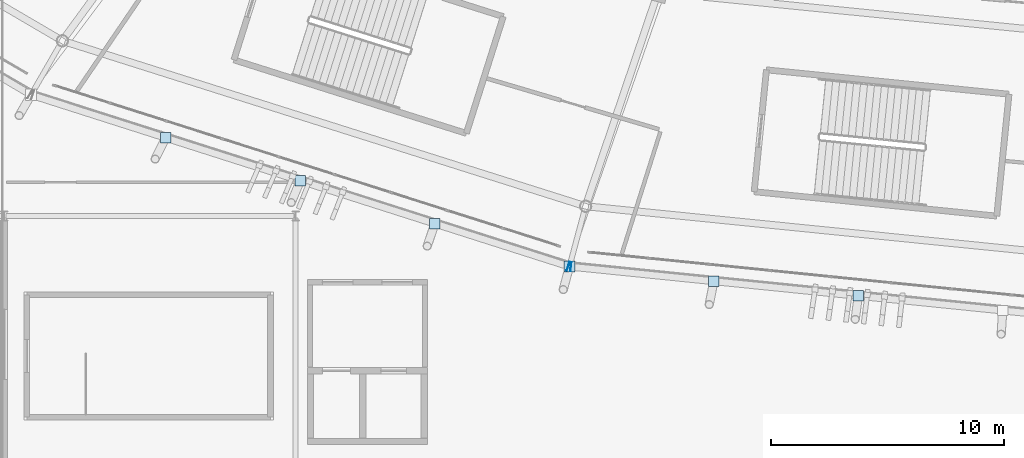
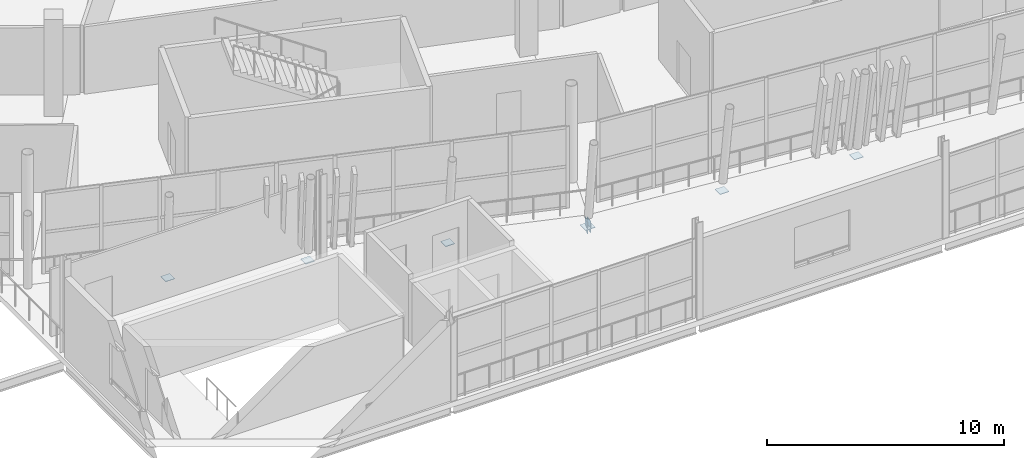
# One storey, part 106 of 179: 8 plates.
"""IFC4 building model written with IfcOpenShell, lengths in metres."""

from ifc_helpers import new_model, si_unit, direction, frame, origin, origin_2d, place, context, subcontext, project, spatial, rectangle, extrude, material, layer, layer_set, type_object, element, save


model = new_model("IFC4")

# Units and contexts
model_context = context("Model", 3, precision=1e-05, world=origin(), true_north=direction((0.0, 1.0)))
body_context = subcontext(model_context, "Body", "Model", "MODEL_VIEW")
ifc_project = project(units=[si_unit("LENGTHUNIT", "METRE"), si_unit("AREAUNIT", "SQUARE_METRE"), si_unit("VOLUMEUNIT", "CUBIC_METRE"), si_unit("PLANEANGLEUNIT", "RADIAN"), si_unit("MASSUNIT", "GRAM", prefix="KILO")], contexts=[model_context])

# Site, building, storey
site_placement = place(None, origin())
site = spatial("IfcSite", under=ifc_project, at=site_placement, CompositionType="ELEMENT")
building_placement = place(site_placement, origin())
building = spatial("IfcBuilding", under=site, at=building_placement, Name="Zlatoyarsky Gate Stadium", CompositionType="ELEMENT")
storey_placement = place(building_placement, frame((0.0, 0.0, 10.60009765625)))
storey = spatial("IfcBuildingStorey", under=building, at=storey_placement, Name="L02", CompositionType="ELEMENT", Elevation=10.60009765625)

# Plates
ifc_material = material(Name="Steel S355", Category="steel")
ifc_layer = layer(ifc_material, 0.02392578125)
ifc_layer_set = layer_set([ifc_layer], Name="Steel S355")
plate_type = type_object("IfcPlateType", Name="STEEL HOLLOW CHORD SPLICE SHEET 24", PredefinedType="SHEET", material=ifc_layer_set)
for number, where, z_axis, x_axis, name in (
    (1, (86.18017578125, 8.852783203125, -0.830078125), (0.0, 0.0, 1.0), (0.952708915846, -0.303884388653, 0.0), "Hollow end cap ND-SP1 CAP-L02-SPD-16 B"),
    (2, (86.297119140625, 8.828369140625, -0.830078125), (0.0, 0.0, 1.0), (0.994900496236, -0.100861303726, 0.0), "Hollow end cap ND-SP1 CAP-L02-SPD-17 A"),
):
    element("IfcPlate", number, at=place(storey_placement, frame(where, z_axis=z_axis, x_axis=x_axis)), inside=storey, type_object=plate_type, Name=name, PredefinedType="SHEET", context=body_context, shape_type="SweptSolid", body=[
        extrude(rectangle(XDim=0.02392578125, YDim=0.39990234375, at=origin_2d()), origin(), (0.0, 0.0, 1.0), 0.60009765625),
    ])
plate_placement = place(storey_placement, frame((86.2373046875, 8.83447265625, -0.592041015625), z_axis=(0.0, 0.0, 1.0), x_axis=(1.0, 0.0, 0.0)))
element("IfcPlate", 3, at=plate_placement, inside=storey, type_object=plate_type, Name="Node closure plate ND-SP1 NCAP-L02-RSTR-17", PredefinedType="SHEET", context=body_context, shape_type="SweptSolid", body=[
    extrude(rectangle(XDim=0.47998046875, YDim=0.47998046875, at=origin_2d()), origin(), (0.0, 0.0, 1.0), 0.02392578125),
])
for number, where, z_axis, x_axis, name in (
    (4, (68.930908203125, 14.354736328125, -0.5419921875), (0.0, 0.0, 1.0), (1.0, 0.0, 0.0), "Node closure plate ND-SP1 NCAP-RIB-16-1-0T"),
    (5, (74.69970703125, 12.5146484375, -0.5419921875), (0.0, 0.0, 1.0), (1.0, 0.0, 0.0), "Node closure plate ND-SP1 NCAP-RIB-16-2-0T"),
    (6, (80.468505859375, 10.674560546875, -0.5419921875), (0.0, 0.0, 1.0), (1.0, 0.0, 0.0), "Node closure plate ND-SP1 NCAP-RIB-16-3-0T"),
    (7, (92.427978515625, 8.206787109375, -0.5419921875), (0.0, 0.0, 1.0), (1.0, 0.0, 0.0), "Node closure plate ND-SP1 NCAP-RIB-17-1-0T"),
    (8, (98.61865234375, 7.579345703125, -0.5419921875), (0.0, 0.0, 1.0), (1.0, 0.0, 0.0), "Node closure plate ND-SP1 NCAP-RIB-17-2-0T"),
):
    element("IfcPlate", number, at=place(storey_placement, frame(where, z_axis=z_axis, x_axis=x_axis)), inside=storey, type_object=plate_type, Name=name, PredefinedType="SHEET", context=body_context, shape_type="SweptSolid", body=[
        extrude(rectangle(XDim=0.43994140625, YDim=0.43994140625, at=origin_2d()), origin(), (0.0, 0.0, 1.0), 0.02392578125),
    ])

save(model, "model.ifc")
